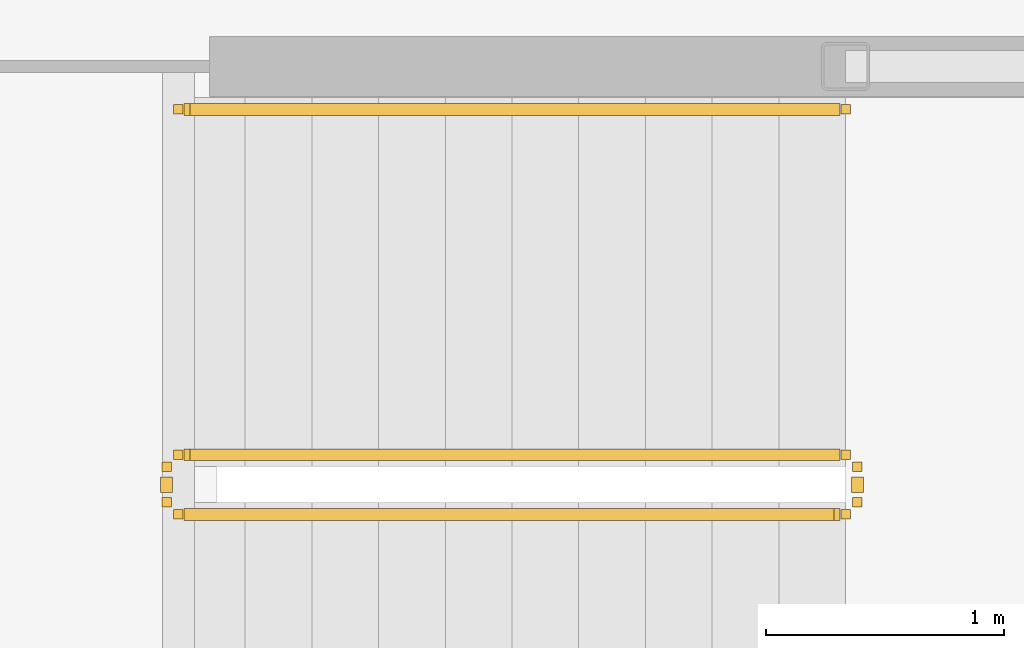
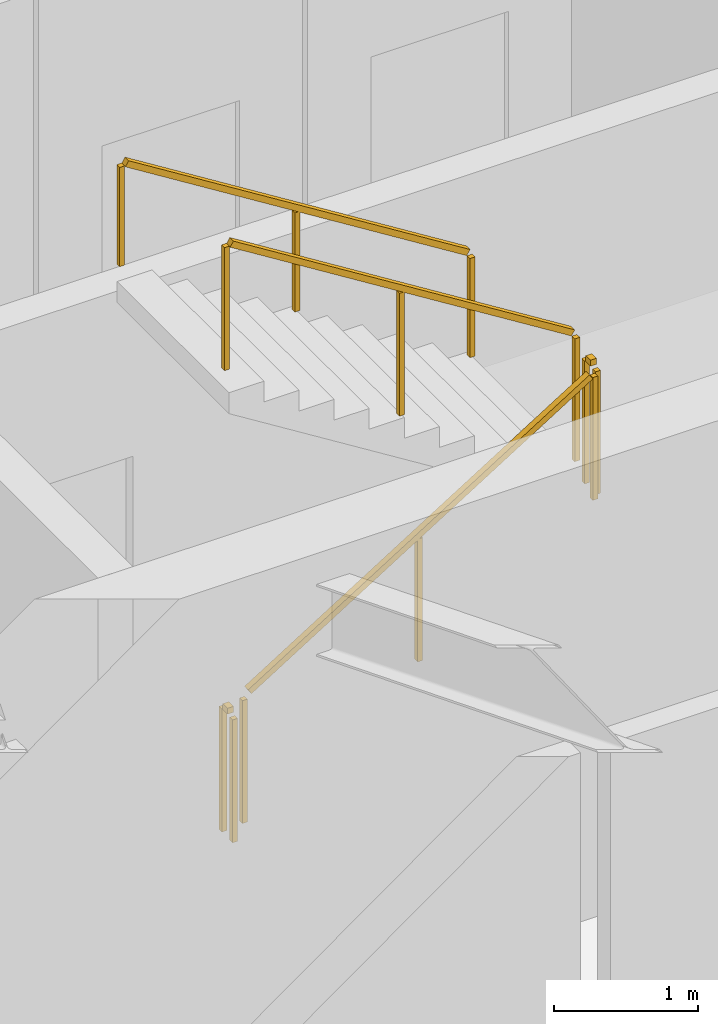
# One storey, part 26 of 29: 5 railings.
"""IFC4 building model written with IfcOpenShell, lengths in metres."""

from ifc_helpers import new_model, si_unit, direction, frame, origin, origin_2d, place, context, subcontext, project, spatial, rectangle, extrude, material, type_object, element, save


model = new_model("IFC4")

# Units and contexts
model_context = context("Model", 3, precision=1e-05, world=origin(), true_north=direction((0.0, 1.0)))
body_context = subcontext(model_context, "Body", "Model", "MODEL_VIEW")
ifc_project = project(units=[si_unit("LENGTHUNIT", "METRE"), si_unit("AREAUNIT", "SQUARE_METRE"), si_unit("VOLUMEUNIT", "CUBIC_METRE"), si_unit("PLANEANGLEUNIT", "RADIAN"), si_unit("MASSUNIT", "GRAM", prefix="KILO")], contexts=[model_context])

# Site, building, storey
site_placement = place(None, origin())
site = spatial("IfcSite", under=ifc_project, at=site_placement, CompositionType="ELEMENT")
building_placement = place(site_placement, origin())
building = spatial("IfcBuilding", under=site, at=building_placement, Name="Kazma Halo Residences", CompositionType="ELEMENT")
storey_placement = place(building_placement, frame((0.0, 0.0, 286.75)))
storey = spatial("IfcBuildingStorey", under=building, at=storey_placement, Name="L72", CompositionType="ELEMENT", Elevation=286.75)

# Railings
ifc_material_1 = material(Name="Painted Steel S355", Category="steel")
railing_type_1 = type_object("IfcRailingType", Name="RLG-STAIR-GRD-1100", PredefinedType="GUARDRAIL", material=ifc_material_1)
railing_1_placement = place(storey_placement, frame((53.199951171875, 35.5, 0.175048828125)))
element("IfcRailing", 1, at=railing_1_placement, inside=storey, type_object=railing_type_1, Name="L72 ST-03 stair guard 1", PredefinedType="GUARDRAIL", context=body_context, shape_type="SweptSolid", body=[
    extrude(rectangle(XDim=0.050048828125, YDim=0.050048828125, at=origin_2d()), frame((0.0361328125, 0.0, 1.09765625), z_axis=(0.848002457836, 0.0, 0.529992293815), x_axis=(0.0, 1.0, 0.0)), (0.0, 0.0, 1.0), 3.216796875),
    extrude(rectangle(XDim=0.0400390625, YDim=0.0400390625, at=origin_2d()), origin(), (0.0, 0.0, 1.0), 1.0380859375),
    extrude(rectangle(XDim=0.0400390625, YDim=0.0400390625, at=origin_2d()), frame((1.39990234375, 0.0, 0.875)), (0.0, 0.0, 1.0), 1.0380859375),
    extrude(rectangle(XDim=0.0400390625, YDim=0.0400390625, at=origin_2d()), frame((2.800048828125, 0.0, 1.75)), (0.0, 0.0, 1.0), 1.0380859375),
])
railing_2_placement = place(storey_placement, frame((56.050048828125, 35.550048828125, 1.925048828125)))
element("IfcRailing", 2, at=railing_2_placement, inside=storey, type_object=railing_type_1, Name="L72 ST-03 stair guard 2", PredefinedType="GUARDRAIL", context=body_context, shape_type="SweptSolid", body=[
    extrude(rectangle(XDim=0.050048828125, YDim=0.050048828125, at=origin_2d()), frame((0.0, 0.04248046875, 1.0751953125), z_axis=(0.0, 1.0, 0.0), x_axis=(-1.0, 0.0, 0.0)), (0.0, 0.0, 1.0), 0.06494140625),
    extrude(rectangle(XDim=0.0400390625, YDim=0.0400390625, at=origin_2d()), origin(), (0.0, 0.0, 1.0), 1.0380859375),
    extrude(rectangle(XDim=0.0400390625, YDim=0.0400390625, at=origin_2d()), frame((0.0, 0.14990234375, 0.0)), (0.0, 0.0, 1.0), 1.0380859375),
])
railing_3_placement = place(storey_placement, frame((56.0, 35.75, 2.10009765625)))
element("IfcRailing", 3, at=railing_3_placement, inside=storey, type_object=railing_type_1, Name="L72 ST-03 stair guard 3", PredefinedType="GUARDRAIL", context=body_context, shape_type="SweptSolid", body=[
    extrude(rectangle(XDim=0.050048828125, YDim=0.050048828125, at=origin_2d()), frame((-0.0361328125, 0.0, 1.09765625), z_axis=(-0.848002457836, 0.0, 0.529992293815), x_axis=(0.0, -1.0, 0.0)), (0.0, 0.0, 1.0), 3.216796875),
    extrude(rectangle(XDim=0.0400390625, YDim=0.0400390625, at=origin_2d()), origin(), (0.0, 0.0, 1.0), 1.0380859375),
    extrude(rectangle(XDim=0.0400390625, YDim=0.0400390625, at=origin_2d()), frame((-1.39990234375, 0.0, 0.875)), (0.0, 0.0, 1.0), 1.0380859375),
    extrude(rectangle(XDim=0.0400390625, YDim=0.0400390625, at=origin_2d()), frame((-2.800048828125, 0.0, 1.75)), (0.0, 0.0, 1.0), 1.0380859375),
])
railing_4_placement = place(storey_placement, frame((53.14990234375, 35.550048828125, 0.0)))
element("IfcRailing", 4, at=railing_4_placement, inside=storey, type_object=railing_type_1, Name="L72 ST-03 stair guard 4", PredefinedType="GUARDRAIL", context=body_context, shape_type="SweptSolid", body=[
    extrude(rectangle(XDim=0.050048828125, YDim=0.050048828125, at=origin_2d()), frame((0.0, 0.04248046875, 1.0751953125), z_axis=(0.0, 1.0, 0.0), x_axis=(-1.0, 0.0, 0.0)), (0.0, 0.0, 1.0), 0.06494140625),
    extrude(rectangle(XDim=0.0400390625, YDim=0.0400390625, at=origin_2d()), origin(), (0.0, 0.0, 1.0), 1.0380859375),
    extrude(rectangle(XDim=0.0400390625, YDim=0.0400390625, at=origin_2d()), frame((0.0, 0.14990234375, 0.0)), (0.0, 0.0, 1.0), 1.0380859375),
])
ifc_material_2 = material(Name="Brushed Stainless Steel", Category="steel")
railing_type_2 = type_object("IfcRailingType", Name="RLG-STAIR-HND-900", PredefinedType="HANDRAIL", material=ifc_material_2)
railing_5_placement = place(storey_placement, frame((56.0, 37.199951171875, 2.10009765625)))
element("IfcRailing", 5, at=railing_5_placement, inside=storey, type_object=railing_type_2, Name="L72 ST-03 stair handrail 2", PredefinedType="HANDRAIL", context=body_context, shape_type="SweptSolid", body=[
    extrude(rectangle(XDim=0.050048828125, YDim=0.050048828125, at=origin_2d()), frame((-0.0361328125, 0.0, 0.8974609375), z_axis=(-0.848002457836, 0.0, 0.529992293815), x_axis=(0.0, -1.0, 0.0)), (0.0, 0.0, 1.0), 3.216796875),
    extrude(rectangle(XDim=0.0400390625, YDim=0.0400390625, at=origin_2d()), origin(), (0.0, 0.0, 1.0), 0.837890625),
    extrude(rectangle(XDim=0.0400390625, YDim=0.0400390625, at=origin_2d()), frame((-1.39990234375, 0.0, 0.875)), (0.0, 0.0, 1.0), 0.837890625),
    extrude(rectangle(XDim=0.0400390625, YDim=0.0400390625, at=origin_2d()), frame((-2.800048828125, 0.0, 1.75)), (0.0, 0.0, 1.0), 0.837890625),
])

save(model, "model.ifc")
